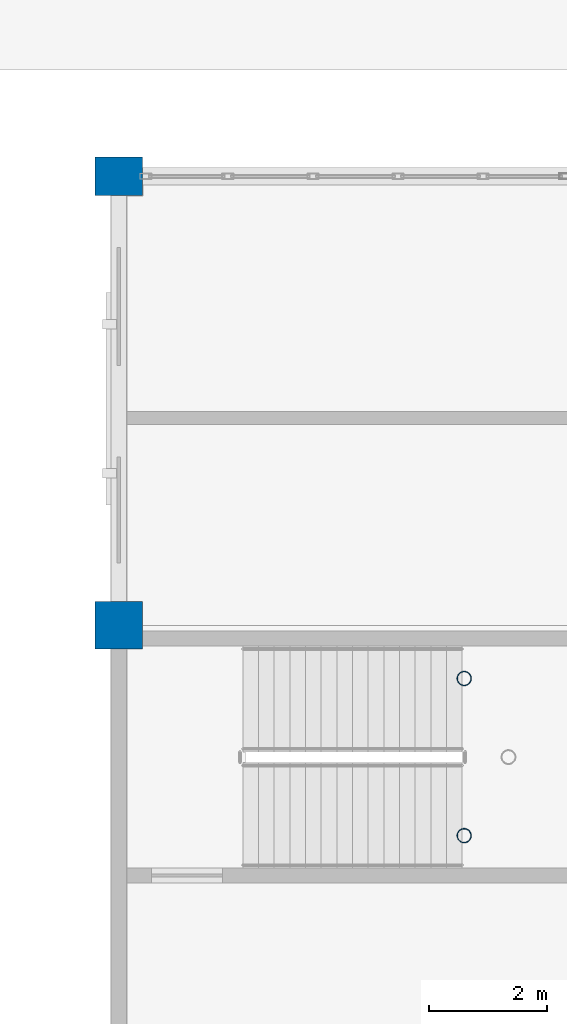
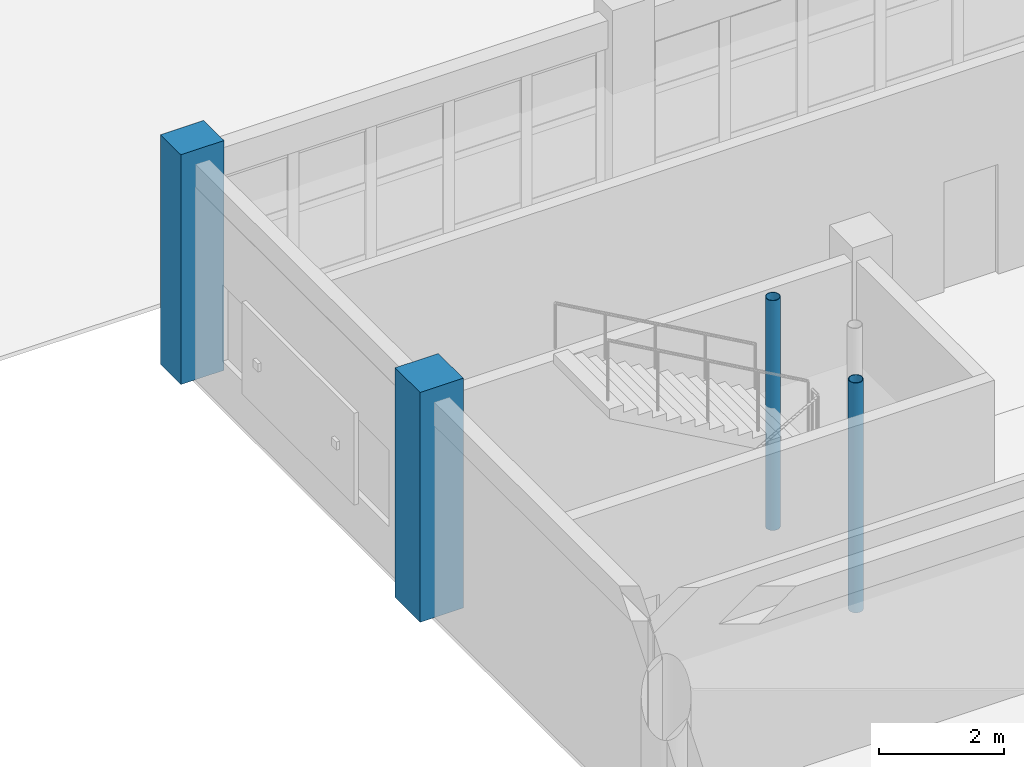
# One storey, part 26 of 166: 4 columns.
"""IFC4 building model written with IfcOpenShell, lengths in metres."""

from ifc_helpers import new_model, si_unit, direction, frame, origin, origin_2d, place, context, subcontext, project, spatial, rectangle, hollow_circle, extrude, material, material_profile, profile_set, type_object, element, save


model = new_model("IFC4")

# Units and contexts
model_context = context("Model", 3, precision=1e-05, world=origin(), true_north=direction((0.0, 1.0)))
body_context = subcontext(model_context, "Body", "Model", "MODEL_VIEW")
ifc_project = project(units=[si_unit("LENGTHUNIT", "METRE"), si_unit("AREAUNIT", "SQUARE_METRE"), si_unit("VOLUMEUNIT", "CUBIC_METRE"), si_unit("PLANEANGLEUNIT", "RADIAN"), si_unit("MASSUNIT", "GRAM", prefix="KILO")], contexts=[model_context])

# Site, building, storey
site_placement = place(None, origin())
site = spatial("IfcSite", under=ifc_project, at=site_placement, CompositionType="ELEMENT")
building_placement = place(site_placement, origin())
building = spatial("IfcBuilding", under=site, at=building_placement, Name="Kharva Crest Polytechnic", CompositionType="ELEMENT")
storey_placement = place(building_placement, origin())
storey = spatial("IfcBuildingStorey", under=building, at=storey_placement, Name="L00", CompositionType="ELEMENT", Elevation=0.0)

# Columns
ifc_material_1 = material(Name="Concrete C40/50", Category="concrete")
ifc_material_profile_1 = material_profile(ifc_material_1, rectangle(XDim=0.800048828125, YDim=0.64990234375, at=origin_2d()), Name="RECT 800 X 650")
ifc_profile_set_1 = profile_set([ifc_material_profile_1], Name="Concrete C40/50")
column_type_1 = type_object("IfcColumnType", Name="COL-EXT-800X650", PredefinedType="COLUMN", material=ifc_profile_set_1)
column_1_placement = place(storey_placement, frame((120.800048828125, 38.0, 0.0), z_axis=(0.0, 0.0, 1.0), x_axis=(1.0, 0.0, 0.0)))
element("IfcColumn", 1, at=column_1_placement, inside=storey, type_object=column_type_1, Name="L00 Column 16J/F", PredefinedType="COLUMN", context=body_context, shape_type="SweptSolid", body=[
    extrude(rectangle(XDim=0.800048828125, YDim=0.64990234375, at=origin_2d()), origin(), (0.0, 0.0, 1.0), 4.5),
])
ifc_material_profile_2 = material_profile(ifc_material_1, rectangle(XDim=0.800048828125, YDim=0.800048828125, at=origin_2d()), Name="RECT 800 X 800")
ifc_profile_set_2 = profile_set([ifc_material_profile_2], Name="Concrete C40/50")
column_type_2 = type_object("IfcColumnType", Name="COL-EXT-800X800", PredefinedType="COLUMN", material=ifc_profile_set_2)
column_2_placement = place(storey_placement, frame((120.800048828125, 30.39990234375, 0.0), z_axis=(0.0, 0.0, 1.0), x_axis=(1.0, 0.0, 0.0)))
element("IfcColumn", 2, at=column_2_placement, inside=storey, type_object=column_type_2, Name="L00 Column 16J/E", PredefinedType="COLUMN", context=body_context, shape_type="SweptSolid", body=[
    extrude(rectangle(XDim=0.800048828125, YDim=0.800048828125, at=origin_2d()), origin(), (0.0, 0.0, 1.0), 4.5),
])
ifc_material_2 = material(Name="Steel S355", Category="steel")
ifc_material_profile_3 = material_profile(ifc_material_2, hollow_circle(Radius=0.122314453125, WallThickness=0.010009765625, at=origin_2d()), Name="CHS 244.5X10.0")
ifc_profile_set_3 = profile_set([ifc_material_profile_3], Name="Steel S355")
column_type_3 = type_object("IfcColumnType", Name="COL-STL-CHS244", PredefinedType="COLUMN", material=ifc_profile_set_3)
for number, where, z_axis, x_axis, name in (
    (3, (126.64501953125, 26.840087890625, 0.0), (0.0, 0.0, 1.0), (1.0, 0.0, 0.0), "L00 Stair ST-07 Landing Support Column SW"),
    (4, (126.64501953125, 29.5, 0.0), (0.0, 0.0, 1.0), (1.0, 0.0, 0.0), "L00 Stair ST-07 Landing Support Column NW"),
):
    element("IfcColumn", number, at=place(storey_placement, frame(where, z_axis=z_axis, x_axis=x_axis)), inside=storey, type_object=column_type_3, Name=name, PredefinedType="COLUMN", context=body_context, shape_type="SweptSolid", body=[
        extrude(hollow_circle(Radius=0.122314453125, WallThickness=0.010009765625, at=origin_2d()), origin(), (0.0, 0.0, 1.0), 4.5),
    ])

save(model, "model.ifc")
